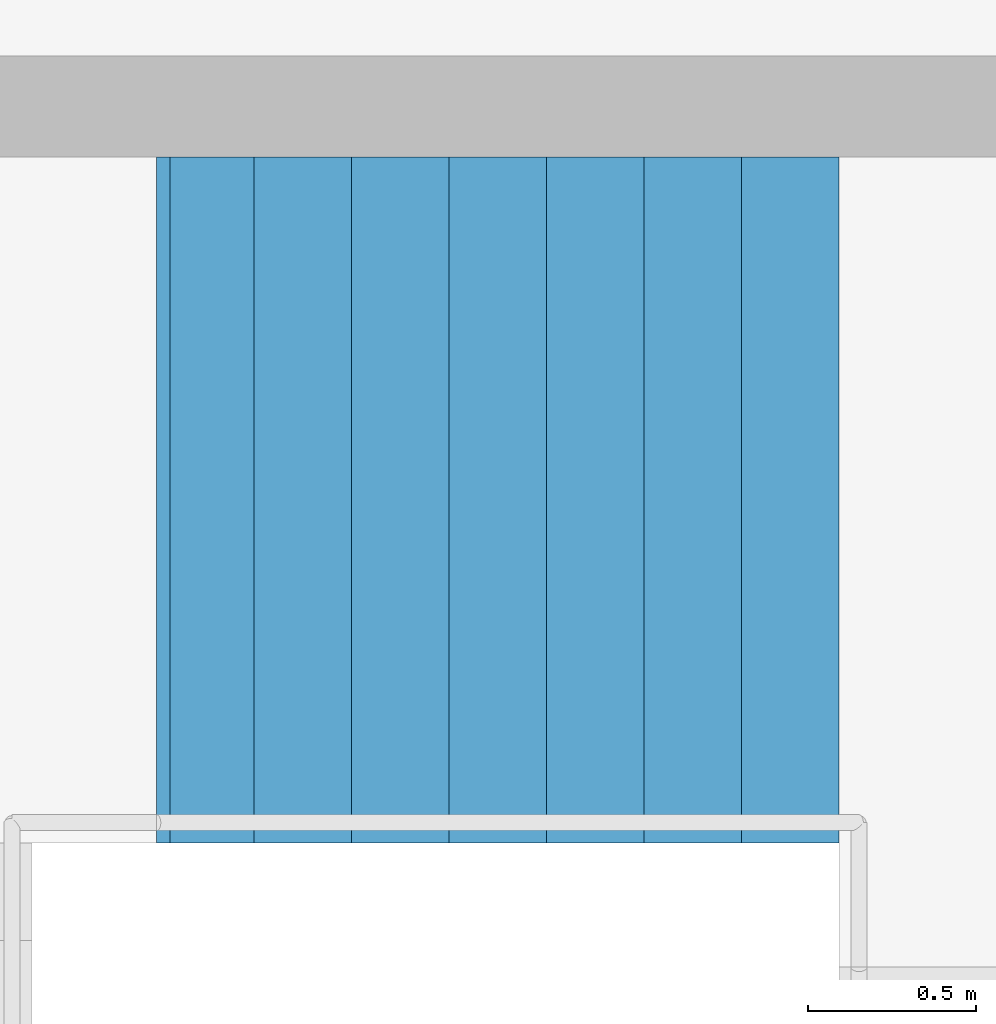
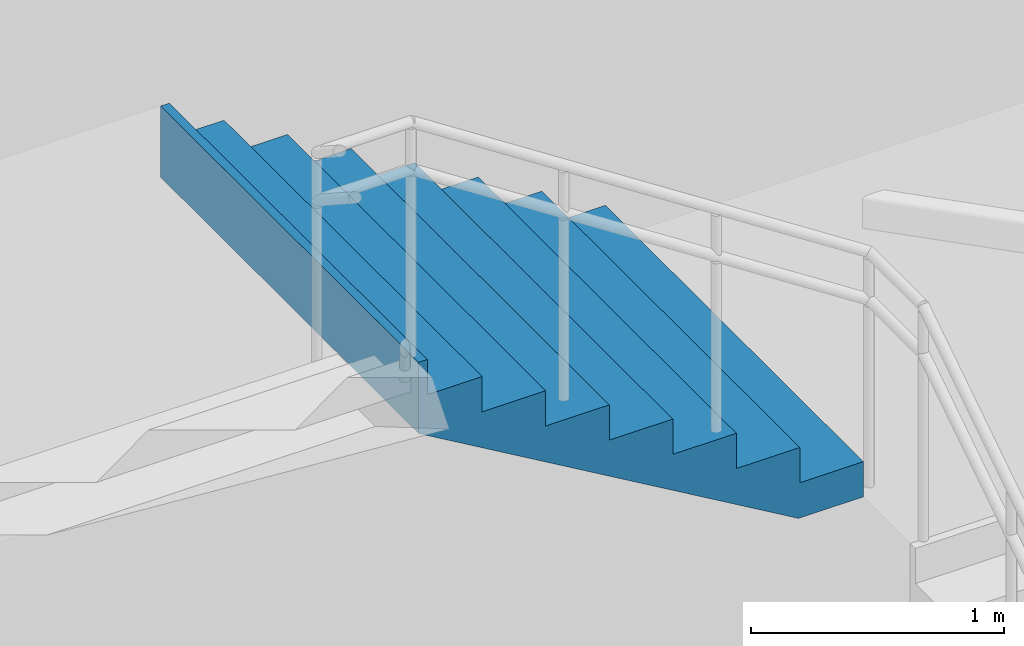
# One storey, part 61 of 72: 1 stair flight, 1 element without a shape of its own.
"""IFC4 building model written with IfcOpenShell, lengths in metres."""

from ifc_helpers import new_model, si_unit, direction, frame, origin, place, context, subcontext, project, spatial, triangles, material, type_object, element, aggregate, save


model = new_model("IFC4")

# Units and contexts
model_context = context("Model", 3, precision=1e-05, world=origin(), true_north=direction((0.0, 1.0)))
body_context = subcontext(model_context, "Body", "Model", "MODEL_VIEW")
ifc_project = project(units=[si_unit("LENGTHUNIT", "METRE"), si_unit("AREAUNIT", "SQUARE_METRE"), si_unit("VOLUMEUNIT", "CUBIC_METRE"), si_unit("PLANEANGLEUNIT", "RADIAN"), si_unit("MASSUNIT", "GRAM", prefix="KILO")], contexts=[model_context])

# Site, building, storey
site_placement = place(None, origin())
site = spatial("IfcSite", under=ifc_project, at=site_placement, CompositionType="ELEMENT")
building_placement = place(site_placement, origin())
building = spatial("IfcBuilding", under=site, at=building_placement, Name="Sillaruma Civic Art Gallery", CompositionType="ELEMENT")
storey_placement = place(building_placement, frame((0.0, 0.0, 10.8798828125)))
storey = spatial("IfcBuildingStorey", under=building, at=storey_placement, Name="L02", CompositionType="ELEMENT", Elevation=10.8798828125)

# Stair, stair flight
ifc_material = material(Name="Concrete H35 (35 MPa)", Category="concrete")
stair_type = type_object("IfcStairType", Name="STR-4F-32", PredefinedType="USERDEFINED", material=ifc_material)
stair_placement = place(storey_placement, origin())
stair = element("IfcStair", 1, at=stair_placement, inside=storey, type_object=stair_type, Name="Protected Exit Stair ST-01 (West Wing) (L02)", ObjectType="THREE_RETURN_STAIR", PredefinedType="USERDEFINED")
stair_flight_type = type_object("IfcStairFlightType", Name="SFL-STR-8", PredefinedType="STRAIGHT", material=ifc_material)
stair_flight_placement = place(storey_placement, frame((30.0, 106.159912109375, 2.72021484375), z_axis=(0.0, 0.0, 1.0), x_axis=(-1.0, 0.0, 0.0)))
stair_flight = element("IfcStairFlight", 2, at=stair_flight_placement, type_object=stair_flight_type, Name="ST-01 flight 3", NumberOfRisers=8, NumberOfTreads=7, PredefinedType="STRAIGHT", RiserHeight=0.17, TreadLength=0.29, context=body_context, shape_type="Tessellation", body=[
    triangles([(0.0, -1.02001953125, 0.0), (0.29, -1.02001953125, 0.0), (0.296443, -1.02001953125, 0.0), (0.58, -1.02001953125, 0.166223), (0.87, -1.02001953125, 0.336223), (1.16, -1.02001953125, 0.506223), (1.45, -1.02001953125, 0.676223), (1.74, -1.02001953125, 0.846223), (1.990029, -1.02001953125, 0.992792), (2.030029, -1.02001953125, 1.01624), (2.030029, -1.02001953125, 1.36), (1.990029, -1.02001953125, 1.36), (1.990029, -1.02001953125, 1.19), (1.74, -1.02001953125, 1.19), (1.74, -1.02001953125, 1.02), (1.45, -1.02001953125, 1.02), (1.45, -1.02001953125, 0.85), (1.16, -1.02001953125, 0.85), (1.16, -1.02001953125, 0.68), (0.87, -1.02001953125, 0.68), (0.87, -1.02001953125, 0.51), (0.58, -1.02001953125, 0.51), (0.58, -1.02001953125, 0.34), (0.296443, -1.02001953125, 0.34), (0.29, -1.02001953125, 0.34), (0.29, -1.02001953125, 0.17), (0.0, -1.02001953125, 0.17), (0.0, -0.05, 0.0), (0.29, -0.05, 0.0), (0.296443, -0.05, 0.0), (0.58, -0.05, 0.166223), (0.87, -0.05, 0.336223), (1.16, -0.05, 0.506223), (1.45, -0.05, 0.676223), (1.74, -0.05, 0.846223), (1.990029, -0.05, 0.992792), (2.030029, -0.05, 1.01624), (2.030029, -0.05, 1.36), (1.990029, -0.05, 1.36), (1.990029, -0.05, 1.19), (1.74, -0.05, 1.19), (1.74, -0.05, 1.02), (1.45, -0.05, 1.02), (1.45, -0.05, 0.85), (1.16, -0.05, 0.85), (1.16, -0.05, 0.68), (0.87, -0.05, 0.68), (0.87, -0.05, 0.51), (0.58, -0.05, 0.51), (0.58, -0.05, 0.34), (0.296443, -0.05, 0.34), (0.29, -0.05, 0.34), (0.29, -0.05, 0.17), (0.0, -0.05, 0.17), (0.0, -0.0375, 0.0), (0.29, -0.0375, 0.0), (0.296443, -0.0375, 0.0), (0.58, -0.0375, 0.166223), (0.87, -0.0375, 0.336223), (1.16, -0.0375, 0.506223), (1.45, -0.0375, 0.676223), (1.74, -0.0375, 0.846223), (1.990029, -0.0375, 0.992792), (2.030029, -0.0375, 1.01624), (2.030029, -0.0375, 1.36), (1.990029, -0.0375, 1.36), (1.990029, -0.0375, 1.19), (1.74, -0.0375, 1.19), (1.74, -0.0375, 1.02), (1.45, -0.0375, 1.02), (1.45, -0.0375, 0.85), (1.16, -0.0375, 0.85), (1.16, -0.0375, 0.68), (0.87, -0.0375, 0.68), (0.87, -0.0375, 0.51), (0.58, -0.0375, 0.51), (0.58, -0.0375, 0.34), (0.296443, -0.0375, 0.34), (0.29, -0.0375, 0.34), (0.29, -0.0375, 0.17), (0.0, -0.0375, 0.17), (0.0, -0.025, 0.0), (0.29, -0.025, 0.0), (0.296443, -0.025, 0.0), (0.58, -0.025, 0.166223), (0.87, -0.025, 0.336223), (1.16, -0.025, 0.506223), (1.45, -0.025, 0.676223), (1.74, -0.025, 0.846223), (1.990029, -0.025, 0.992792), (2.030029, -0.025, 1.01624), (2.030029, -0.025, 1.36), (1.990029, -0.025, 1.36), (1.990029, -0.025, 1.19), (1.74, -0.025, 1.19), (1.74, -0.025, 1.02), (1.45, -0.025, 1.02), (1.45, -0.025, 0.85), (1.16, -0.025, 0.85), (1.16, -0.025, 0.68), (0.87, -0.025, 0.68), (0.87, -0.025, 0.51), (0.58, -0.025, 0.51), (0.58, -0.025, 0.34), (0.296443, -0.025, 0.34), (0.29, -0.025, 0.34), (0.29, -0.025, 0.17), (0.0, -0.025, 0.17), (0.0, -0.0125, 0.0), (0.29, -0.0125, 0.0), (0.296443, -0.0125, 0.0), (0.58, -0.0125, 0.166223), (0.87, -0.0125, 0.336223), (1.16, -0.0125, 0.506223), (1.45, -0.0125, 0.676223), (1.74, -0.0125, 0.846223), (1.990029, -0.0125, 0.992792), (2.030029, -0.0125, 1.01624), (2.030029, -0.0125, 1.36), (1.990029, -0.0125, 1.36), (1.990029, -0.0125, 1.19), (1.74, -0.0125, 1.19), (1.74, -0.0125, 1.02), (1.45, -0.0125, 1.02), (1.45, -0.0125, 0.85), (1.16, -0.0125, 0.85), (1.16, -0.0125, 0.68), (0.87, -0.0125, 0.68), (0.87, -0.0125, 0.51), (0.58, -0.0125, 0.51), (0.58, -0.0125, 0.34), (0.296443, -0.0125, 0.34), (0.29, -0.0125, 0.34), (0.29, -0.0125, 0.17), (0.0, -0.0125, 0.17), (0.0, 0.0, 0.0), (0.29, 0.0, 0.0), (0.296443, 0.0, 0.0), (0.58, 0.0, 0.166223), (0.87, 0.0, 0.336223), (1.16, 0.0, 0.506223), (1.45, 0.0, 0.676223), (1.74, 0.0, 0.846223), (1.990029, 0.0, 0.992792), (2.030029, 0.0, 1.01624), (2.030029, 0.0, 1.36), (1.990029, 0.0, 1.36), (1.990029, 0.0, 1.19), (1.74, 0.0, 1.19), (1.74, 0.0, 1.02), (1.45, 0.0, 1.02), (1.45, 0.0, 0.85), (1.16, 0.0, 0.85), (1.16, 0.0, 0.68), (0.87, 0.0, 0.68), (0.87, 0.0, 0.51), (0.58, 0.0, 0.51), (0.58, 0.0, 0.34), (0.296443, 0.0, 0.34), (0.29, 0.0, 0.34), (0.29, 0.0, 0.17), (0.0, 0.0, 0.17), (0.0, 0.0125, 0.0), (0.29, 0.0125, 0.0), (0.296443, 0.0125, 0.0), (0.58, 0.0125, 0.166223), (0.87, 0.0125, 0.336223), (1.16, 0.0125, 0.506223), (1.45, 0.0125, 0.676223), (1.74, 0.0125, 0.846223), (1.990029, 0.0125, 0.992792), (2.030029, 0.0125, 1.01624), (2.030029, 0.0125, 1.36), (1.990029, 0.0125, 1.36), (1.990029, 0.0125, 1.19), (1.74, 0.0125, 1.19), (1.74, 0.0125, 1.02), (1.45, 0.0125, 1.02), (1.45, 0.0125, 0.85), (1.16, 0.0125, 0.85), (1.16, 0.0125, 0.68), (0.87, 0.0125, 0.68), (0.87, 0.0125, 0.51), (0.58, 0.0125, 0.51), (0.58, 0.0125, 0.34), (0.296443, 0.0125, 0.34), (0.29, 0.0125, 0.34), (0.29, 0.0125, 0.17), (0.0, 0.0125, 0.17), (0.0, 0.025, 0.0), (0.29, 0.025, 0.0), (0.296443, 0.025, 0.0), (0.58, 0.025, 0.166223), (0.87, 0.025, 0.336223), (1.16, 0.025, 0.506223), (1.45, 0.025, 0.676223), (1.74, 0.025, 0.846223), (1.990029, 0.025, 0.992792), (2.030029, 0.025, 1.01624), (2.030029, 0.025, 1.36), (1.990029, 0.025, 1.36), (1.990029, 0.025, 1.19), (1.74, 0.025, 1.19), (1.74, 0.025, 1.02), (1.45, 0.025, 1.02), (1.45, 0.025, 0.85), (1.16, 0.025, 0.85), (1.16, 0.025, 0.68), (0.87, 0.025, 0.68), (0.87, 0.025, 0.51), (0.58, 0.025, 0.51), (0.58, 0.025, 0.34), (0.296443, 0.025, 0.34), (0.29, 0.025, 0.34), (0.29, 0.025, 0.17), (0.0, 0.025, 0.17), (0.0, 0.0375, 0.0), (0.29, 0.0375, 0.0), (0.296443, 0.0375, 0.0), (0.58, 0.0375, 0.166223), (0.87, 0.0375, 0.336223), (1.16, 0.0375, 0.506223), (1.45, 0.0375, 0.676223), (1.74, 0.0375, 0.846223), (1.990029, 0.0375, 0.992792), (2.030029, 0.0375, 1.01624), (2.030029, 0.0375, 1.36), (1.990029, 0.0375, 1.36), (1.990029, 0.0375, 1.19), (1.74, 0.0375, 1.19), (1.74, 0.0375, 1.02), (1.45, 0.0375, 1.02), (1.45, 0.0375, 0.85), (1.16, 0.0375, 0.85), (1.16, 0.0375, 0.68), (0.87, 0.0375, 0.68), (0.87, 0.0375, 0.51), (0.58, 0.0375, 0.51), (0.58, 0.0375, 0.34), (0.296443, 0.0375, 0.34), (0.29, 0.0375, 0.34), (0.29, 0.0375, 0.17), (0.0, 0.0375, 0.17), (0.0, 0.05, 0.0), (0.29, 0.05, 0.0), (0.296443, 0.05, 0.0), (0.58, 0.05, 0.166223), (0.87, 0.05, 0.336223), (1.16, 0.05, 0.506223), (1.45, 0.05, 0.676223), (1.74, 0.05, 0.846223), (1.990029, 0.05, 0.992792), (2.030029, 0.05, 1.01624), (2.030029, 0.05, 1.36), (1.990029, 0.05, 1.36), (1.990029, 0.05, 1.19), (1.74, 0.05, 1.19), (1.74, 0.05, 1.02), (1.45, 0.05, 1.02), (1.45, 0.05, 0.85), (1.16, 0.05, 0.85), (1.16, 0.05, 0.68), (0.87, 0.05, 0.68), (0.87, 0.05, 0.51), (0.58, 0.05, 0.51), (0.58, 0.05, 0.34), (0.296443, 0.05, 0.34), (0.29, 0.05, 0.34), (0.29, 0.05, 0.17), (0.0, 0.05, 0.17), (0.0, 1.02001953125, 0.0), (0.29, 1.02001953125, 0.0), (0.296443, 1.02001953125, 0.0), (0.58, 1.02001953125, 0.166223), (0.87, 1.02001953125, 0.336223), (1.16, 1.02001953125, 0.506223), (1.45, 1.02001953125, 0.676223), (1.74, 1.02001953125, 0.846223), (1.990029, 1.02001953125, 0.992792), (2.030029, 1.02001953125, 1.01624), (2.030029, 1.02001953125, 1.36), (1.990029, 1.02001953125, 1.36), (1.990029, 1.02001953125, 1.19), (1.74, 1.02001953125, 1.19), (1.74, 1.02001953125, 1.02), (1.45, 1.02001953125, 1.02), (1.45, 1.02001953125, 0.85), (1.16, 1.02001953125, 0.85), (1.16, 1.02001953125, 0.68), (0.87, 1.02001953125, 0.68), (0.87, 1.02001953125, 0.51), (0.58, 1.02001953125, 0.51), (0.58, 1.02001953125, 0.34), (0.296443, 1.02001953125, 0.34), (0.29, 1.02001953125, 0.34), (0.29, 1.02001953125, 0.17), (0.0, 1.02001953125, 0.17)], [[1, 2, 26], [1, 26, 27], [2, 3, 24], [2, 24, 26], [26, 24, 25], [3, 4, 23], [3, 23, 24], [4, 5, 21], [4, 21, 23], [23, 21, 22], [5, 6, 19], [5, 19, 21], [21, 19, 20], [6, 7, 17], [6, 17, 19], [19, 17, 18], [7, 8, 15], [7, 15, 17], [17, 15, 16], [8, 9, 13], [8, 13, 15], [15, 13, 14], [9, 10, 11], [9, 11, 13], [13, 11, 12], [296, 272, 271], [297, 296, 271], [294, 273, 272], [296, 294, 272], [295, 294, 296], [293, 274, 273], [294, 293, 273], [291, 275, 274], [293, 291, 274], [292, 291, 293], [289, 276, 275], [291, 289, 275], [290, 289, 291], [287, 277, 276], [289, 287, 276], [288, 287, 289], [285, 278, 277], [287, 285, 277], [286, 285, 287], [283, 279, 278], [285, 283, 278], [284, 283, 285], [281, 280, 279], [283, 281, 279], [282, 281, 283], [2, 1, 28], [2, 28, 29], [3, 2, 29], [3, 29, 30], [4, 3, 30], [4, 30, 31], [5, 4, 31], [5, 31, 32], [6, 5, 32], [6, 32, 33], [7, 6, 33], [7, 33, 34], [8, 7, 34], [8, 34, 35], [9, 8, 35], [9, 35, 36], [10, 9, 36], [10, 36, 37], [11, 10, 37], [11, 37, 38], [12, 11, 38], [12, 38, 39], [13, 12, 39], [13, 39, 40], [14, 13, 40], [14, 40, 41], [15, 14, 41], [15, 41, 42], [16, 15, 42], [16, 42, 43], [17, 16, 43], [17, 43, 44], [18, 17, 44], [18, 44, 45], [19, 18, 45], [19, 45, 46], [20, 19, 46], [20, 46, 47], [21, 20, 47], [21, 47, 48], [22, 21, 48], [22, 48, 49], [23, 22, 49], [23, 49, 50], [24, 23, 50], [24, 50, 51], [25, 24, 51], [25, 51, 52], [26, 25, 52], [26, 52, 53], [27, 26, 53], [27, 53, 54], [1, 27, 54], [1, 54, 28], [29, 28, 55], [29, 55, 56], [30, 29, 56], [30, 56, 57], [31, 30, 57], [31, 57, 58], [32, 31, 58], [32, 58, 59], [33, 32, 59], [33, 59, 60], [34, 33, 60], [34, 60, 61], [35, 34, 61], [35, 61, 62], [36, 35, 62], [36, 62, 63], [37, 36, 63], [37, 63, 64], [38, 37, 64], [38, 64, 65], [39, 38, 65], [39, 65, 66], [40, 39, 66], [40, 66, 67], [41, 40, 67], [41, 67, 68], [42, 41, 68], [42, 68, 69], [43, 42, 69], [43, 69, 70], [44, 43, 70], [44, 70, 71], [45, 44, 71], [45, 71, 72], [46, 45, 72], [46, 72, 73], [47, 46, 73], [47, 73, 74], [48, 47, 74], [48, 74, 75], [49, 48, 75], [49, 75, 76], [50, 49, 76], [50, 76, 77], [51, 50, 77], [51, 77, 78], [52, 51, 78], [52, 78, 79], [53, 52, 79], [53, 79, 80], [54, 53, 80], [54, 80, 81], [28, 54, 81], [28, 81, 55], [56, 55, 82], [56, 82, 83], [57, 56, 83], [57, 83, 84], [58, 57, 84], [58, 84, 85], [59, 58, 85], [59, 85, 86], [60, 59, 86], [60, 86, 87], [61, 60, 87], [61, 87, 88], [62, 61, 88], [62, 88, 89], [63, 62, 89], [63, 89, 90], [64, 63, 90], [64, 90, 91], [65, 64, 91], [65, 91, 92], [66, 65, 92], [66, 92, 93], [67, 66, 93], [67, 93, 94], [68, 67, 94], [68, 94, 95], [69, 68, 95], [69, 95, 96], [70, 69, 96], [70, 96, 97], [71, 70, 97], [71, 97, 98], [72, 71, 98], [72, 98, 99], [73, 72, 99], [73, 99, 100], [74, 73, 100], [74, 100, 101], [75, 74, 101], [75, 101, 102], [76, 75, 102], [76, 102, 103], [77, 76, 103], [77, 103, 104], [78, 77, 104], [78, 104, 105], [79, 78, 105], [79, 105, 106], [80, 79, 106], [80, 106, 107], [81, 80, 107], [81, 107, 108], [55, 81, 108], [55, 108, 82], [83, 82, 109], [83, 109, 110], [84, 83, 110], [84, 110, 111], [85, 84, 111], [85, 111, 112], [86, 85, 112], [86, 112, 113], [87, 86, 113], [87, 113, 114], [88, 87, 114], [88, 114, 115], [89, 88, 115], [89, 115, 116], [90, 89, 116], [90, 116, 117], [91, 90, 117], [91, 117, 118], [92, 91, 118], [92, 118, 119], [93, 92, 119], [93, 119, 120], [94, 93, 120], [94, 120, 121], [95, 94, 121], [95, 121, 122], [96, 95, 122], [96, 122, 123], [97, 96, 123], [97, 123, 124], [98, 97, 124], [98, 124, 125], [99, 98, 125], [99, 125, 126], [100, 99, 126], [100, 126, 127], [101, 100, 127], [101, 127, 128], [102, 101, 128], [102, 128, 129], [103, 102, 129], [103, 129, 130], [104, 103, 130], [104, 130, 131], [105, 104, 131], [105, 131, 132], [106, 105, 132], [106, 132, 133], [107, 106, 133], [107, 133, 134], [108, 107, 134], [108, 134, 135], [82, 108, 135], [82, 135, 109], [110, 109, 136], [110, 136, 137], [111, 110, 137], [111, 137, 138], [112, 111, 138], [112, 138, 139], [113, 112, 139], [113, 139, 140], [114, 113, 140], [114, 140, 141], [115, 114, 141], [115, 141, 142], [116, 115, 142], [116, 142, 143], [117, 116, 143], [117, 143, 144], [118, 117, 144], [118, 144, 145], [119, 118, 145], [119, 145, 146], [120, 119, 146], [120, 146, 147], [121, 120, 147], [121, 147, 148], [122, 121, 148], [122, 148, 149], [123, 122, 149], [123, 149, 150], [124, 123, 150], [124, 150, 151], [125, 124, 151], [125, 151, 152], [126, 125, 152], [126, 152, 153], [127, 126, 153], [127, 153, 154], [128, 127, 154], [128, 154, 155], [129, 128, 155], [129, 155, 156], [130, 129, 156], [130, 156, 157], [131, 130, 157], [131, 157, 158], [132, 131, 158], [132, 158, 159], [133, 132, 159], [133, 159, 160], [134, 133, 160], [134, 160, 161], [135, 134, 161], [135, 161, 162], [109, 135, 162], [109, 162, 136], [137, 136, 163], [137, 163, 164], [138, 137, 164], [138, 164, 165], [139, 138, 165], [139, 165, 166], [140, 139, 166], [140, 166, 167], [141, 140, 167], [141, 167, 168], [142, 141, 168], [142, 168, 169], [143, 142, 169], [143, 169, 170], [144, 143, 170], [144, 170, 171], [145, 144, 171], [145, 171, 172], [146, 145, 172], [146, 172, 173], [147, 146, 173], [147, 173, 174], [148, 147, 174], [148, 174, 175], [149, 148, 175], [149, 175, 176], [150, 149, 176], [150, 176, 177], [151, 150, 177], [151, 177, 178], [152, 151, 178], [152, 178, 179], [153, 152, 179], [153, 179, 180], [154, 153, 180], [154, 180, 181], [155, 154, 181], [155, 181, 182], [156, 155, 182], [156, 182, 183], [157, 156, 183], [157, 183, 184], [158, 157, 184], [158, 184, 185], [159, 158, 185], [159, 185, 186], [160, 159, 186], [160, 186, 187], [161, 160, 187], [161, 187, 188], [162, 161, 188], [162, 188, 189], [136, 162, 189], [136, 189, 163], [164, 163, 190], [164, 190, 191], [165, 164, 191], [165, 191, 192], [166, 165, 192], [166, 192, 193], [167, 166, 193], [167, 193, 194], [168, 167, 194], [168, 194, 195], [169, 168, 195], [169, 195, 196], [170, 169, 196], [170, 196, 197], [171, 170, 197], [171, 197, 198], [172, 171, 198], [172, 198, 199], [173, 172, 199], [173, 199, 200], [174, 173, 200], [174, 200, 201], [175, 174, 201], [175, 201, 202], [176, 175, 202], [176, 202, 203], [177, 176, 203], [177, 203, 204], [178, 177, 204], [178, 204, 205], [179, 178, 205], [179, 205, 206], [180, 179, 206], [180, 206, 207], [181, 180, 207], [181, 207, 208], [182, 181, 208], [182, 208, 209], [183, 182, 209], [183, 209, 210], [184, 183, 210], [184, 210, 211], [185, 184, 211], [185, 211, 212], [186, 185, 212], [186, 212, 213], [187, 186, 213], [187, 213, 214], [188, 187, 214], [188, 214, 215], [189, 188, 215], [189, 215, 216], [163, 189, 216], [163, 216, 190], [191, 190, 217], [191, 217, 218], [192, 191, 218], [192, 218, 219], [193, 192, 219], [193, 219, 220], [194, 193, 220], [194, 220, 221], [195, 194, 221], [195, 221, 222], [196, 195, 222], [196, 222, 223], [197, 196, 223], [197, 223, 224], [198, 197, 224], [198, 224, 225], [199, 198, 225], [199, 225, 226], [200, 199, 226], [200, 226, 227], [201, 200, 227], [201, 227, 228], [202, 201, 228], [202, 228, 229], [203, 202, 229], [203, 229, 230], [204, 203, 230], [204, 230, 231], [205, 204, 231], [205, 231, 232], [206, 205, 232], [206, 232, 233], [207, 206, 233], [207, 233, 234], [208, 207, 234], [208, 234, 235], [209, 208, 235], [209, 235, 236], [210, 209, 236], [210, 236, 237], [211, 210, 237], [211, 237, 238], [212, 211, 238], [212, 238, 239], [213, 212, 239], [213, 239, 240], [214, 213, 240], [214, 240, 241], [215, 214, 241], [215, 241, 242], [216, 215, 242], [216, 242, 243], [190, 216, 243], [190, 243, 217], [218, 217, 244], [218, 244, 245], [219, 218, 245], [219, 245, 246], [220, 219, 246], [220, 246, 247], [221, 220, 247], [221, 247, 248], [222, 221, 248], [222, 248, 249], [223, 222, 249], [223, 249, 250], [224, 223, 250], [224, 250, 251], [225, 224, 251], [225, 251, 252], [226, 225, 252], [226, 252, 253], [227, 226, 253], [227, 253, 254], [228, 227, 254], [228, 254, 255], [229, 228, 255], [229, 255, 256], [230, 229, 256], [230, 256, 257], [231, 230, 257], [231, 257, 258], [232, 231, 258], [232, 258, 259], [233, 232, 259], [233, 259, 260], [234, 233, 260], [234, 260, 261], [235, 234, 261], [235, 261, 262], [236, 235, 262], [236, 262, 263], [237, 236, 263], [237, 263, 264], [238, 237, 264], [238, 264, 265], [239, 238, 265], [239, 265, 266], [240, 239, 266], [240, 266, 267], [241, 240, 267], [241, 267, 268], [242, 241, 268], [242, 268, 269], [243, 242, 269], [243, 269, 270], [217, 243, 270], [217, 270, 244], [245, 244, 271], [245, 271, 272], [246, 245, 272], [246, 272, 273], [247, 246, 273], [247, 273, 274], [248, 247, 274], [248, 274, 275], [249, 248, 275], [249, 275, 276], [250, 249, 276], [250, 276, 277], [251, 250, 277], [251, 277, 278], [252, 251, 278], [252, 278, 279], [253, 252, 279], [253, 279, 280], [254, 253, 280], [254, 280, 281], [255, 254, 281], [255, 281, 282], [256, 255, 282], [256, 282, 283], [257, 256, 283], [257, 283, 284], [258, 257, 284], [258, 284, 285], [259, 258, 285], [259, 285, 286], [260, 259, 286], [260, 286, 287], [261, 260, 287], [261, 287, 288], [262, 261, 288], [262, 288, 289], [263, 262, 289], [263, 289, 290], [264, 263, 290], [264, 290, 291], [265, 264, 291], [265, 291, 292], [266, 265, 292], [266, 292, 293], [267, 266, 293], [267, 293, 294], [268, 267, 294], [268, 294, 295], [269, 268, 295], [269, 295, 296], [270, 269, 296], [270, 296, 297], [244, 270, 297], [244, 297, 271]], closed=True),
])
aggregate(stair, [stair_flight])

save(model, "model.ifc")
